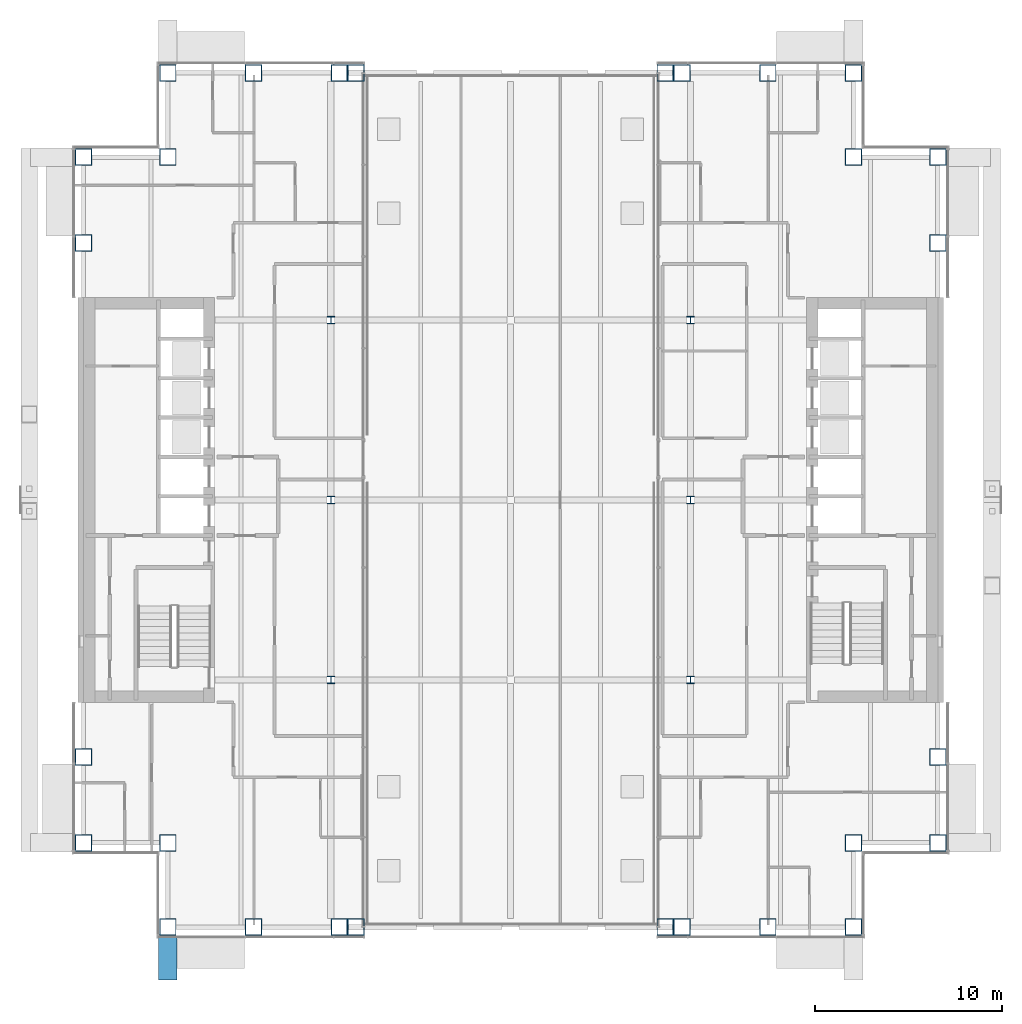
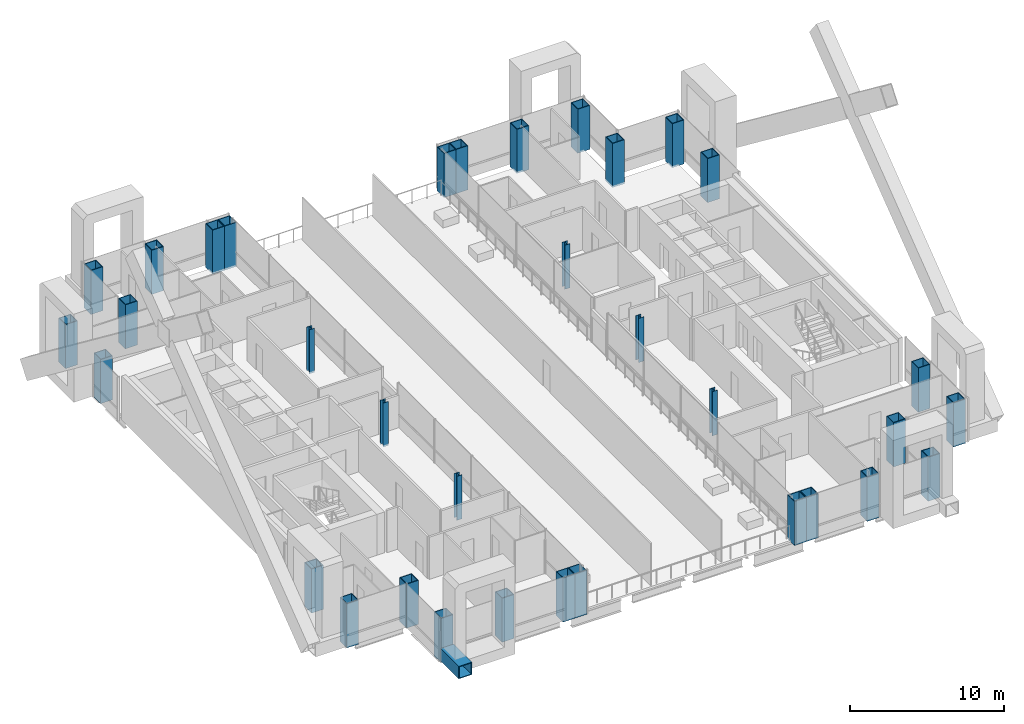
# One storey, part 1 of 20: 34 columns, 1 beam.
"""IFC4 building model written with IfcOpenShell, lengths in metres."""

import ifcopenshell
import ifcopenshell.guid

model = None  # the IFC model being written
_history = None  # IfcOwnerHistory: only IFC2X3 demands one
_inside = {}  # id of a spatial element -> (the spatial element, [elements in it])
_under = {}  # id of a project, library or spatial element -> (it, [spatial elements below it])
_declared = {}  # id of a project -> (the project, [libraries it declares])
_typed = {}  # id of a type object -> (the type object, [elements of that type])
_made_of = {}  # id of a material, layer set ... -> (it, [elements and type objects made of it])


def new_model(schema):
    """Start an empty IFC model of exactly this schema.

    Asked for "IFC4X3", IfcOpenShell would pick the latest addendum, in which some entities
    have other attributes; the version numbers below select the first issue.
    IFC2X3 requires an IfcOwnerHistory on every rooted entity: one is made here for all.
    """
    global model, _history
    if schema == "IFC4X3":
        model = ifcopenshell.file(schema_version=(4, 3, 0, 0))
    else:
        model = ifcopenshell.file(schema=schema)
    _inside.clear()
    _under.clear()
    _declared.clear()
    _typed.clear()
    _made_of.clear()
    _history = None
    if model.schema == "IFC2X3":
        org = make("IfcOrganization", Name="unknown")
        user = make(
            "IfcPersonAndOrganization",
            ThePerson=make("IfcPerson", FamilyName="unknown"),
            TheOrganization=org,
        )
        app = make(
            "IfcApplication",
            ApplicationDeveloper=org,
            Version="unknown",
            ApplicationFullName="unknown",
            ApplicationIdentifier="unknown",
        )
        _history = make(
            "IfcOwnerHistory",
            OwningUser=user,
            OwningApplication=app,
            ChangeAction="ADDED",
            CreationDate=0,
        )
    return model


def make(cls, **values):
    """One entity of the class cls with the attributes given. An attribute that is None is left unset."""
    return model.create_entity(
        cls, **{name: value for name, value in values.items() if value is not None}
    )


def rooted(cls, **values):
    """An entity with a GlobalId (a new one), such as an element, a storey or a relation."""
    return make(cls, GlobalId=ifcopenshell.guid.new(), OwnerHistory=_history, **values)


def si_unit(unit_type, name, prefix=None):
    """IfcSIUnit, for example si_unit("LENGTHUNIT", "METRE", prefix="MILLI")."""
    return make("IfcSIUnit", UnitType=unit_type, Prefix=prefix, Name=name)


def assignment(units):
    """IfcUnitAssignment: the units of a project."""
    return None if units is None else make("IfcUnitAssignment", Units=units)


def point(xyz):
    """IfcCartesianPoint."""
    return None if xyz is None else make("IfcCartesianPoint", Coordinates=xyz)


def direction(xyz):
    """IfcDirection."""
    return None if xyz is None else make("IfcDirection", DirectionRatios=xyz)


def frame(location, z_axis=None, x_axis=None):
    """IfcAxis2Placement3D, a coordinate frame: its origin and axes. An axis left out is left unset."""
    return make(
        "IfcAxis2Placement3D",
        Location=point(location),
        Axis=direction(z_axis),
        RefDirection=direction(x_axis),
    )


def frame_2d(location, x_axis=None):
    """IfcAxis2Placement2D, a coordinate frame in the plane: its origin and x axis."""
    return make(
        "IfcAxis2Placement2D", Location=point(location), RefDirection=direction(x_axis)
    )


def origin():
    """The frame at (0, 0, 0) with its axes left unset."""
    return frame((0.0, 0.0, 0.0))


def origin_2d():
    """The frame at (0, 0) in the plane with its x axis left unset."""
    return frame_2d((0.0, 0.0))


def place(relative_to, where):
    """IfcLocalPlacement: puts the frame where relative to a parent placement (None: the world)."""
    return make(
        "IfcLocalPlacement", PlacementRelTo=relative_to, RelativePlacement=where
    )


def context(
    kind, dimensions, precision=None, world=None, true_north=None, identifier=None
):
    """IfcGeometricRepresentationContext, for example the 3D "Model" context."""
    return make(
        "IfcGeometricRepresentationContext",
        ContextIdentifier=identifier,
        ContextType=kind,
        CoordinateSpaceDimension=dimensions,
        Precision=precision,
        WorldCoordinateSystem=world,
        TrueNorth=true_north,
    )


def subcontext(parent, identifier, kind, view, scale=None):
    """IfcGeometricRepresentationSubContext, for example "Body" below "Model"."""
    return make(
        "IfcGeometricRepresentationSubContext",
        ContextIdentifier=identifier,
        ContextType=kind,
        ParentContext=parent,
        TargetScale=scale,
        TargetView=view,
    )


def project(units=None, contexts=None):
    """IfcProject with its units and contexts."""
    return rooted(
        "IfcProject",
        Name="project",
        RepresentationContexts=contexts,
        UnitsInContext=assignment(units),
    )


def spatial(cls, under=None, at=None, **own):
    """A site, building, storey or space (cls), placed at a placement, below another one or the project."""
    s = rooted(cls, ObjectPlacement=at, **own)
    if under is not None:
        _under.setdefault(under.id(), (under, []))[1].append(s)
    return s


def profile(cls, at=None, kind="AREA", **sizes):
    """A parametric profile (cls). Its sizes go by their IFC names, for example OverallWidth=200.0."""
    return make(cls, ProfileType=kind, Position=at, **sizes)


def hollow_rectangle(**sizes):
    """IfcRectangleHollowProfileDef."""
    return profile("IfcRectangleHollowProfileDef", **sizes)


def i_section(**sizes):
    """IfcIShapeProfileDef."""
    return profile("IfcIShapeProfileDef", **sizes)


def extrude(swept, where, along, depth):
    """IfcExtrudedAreaSolid: the profile swept, set in the frame where, extruded along a direction by depth."""
    return make(
        "IfcExtrudedAreaSolid",
        SweptArea=swept,
        Position=where,
        ExtrudedDirection=direction(along),
        Depth=depth,
    )


def shape(context_of_items, identifier, shape_type, items):
    """IfcShapeRepresentation: the items that make up one representation, for example the "Body"."""
    return make(
        "IfcShapeRepresentation",
        ContextOfItems=context_of_items,
        RepresentationIdentifier=identifier,
        RepresentationType=shape_type,
        Items=items,
    )


def material(Name=None, Category=None):
    """IfcMaterial."""
    return make("IfcMaterial", Name=Name, Category=Category)


def material_profile(
    of_material, cross_section, Name=None, Category=None, Priority=None
):
    """IfcMaterialProfile: a cross section and its material."""
    return make(
        "IfcMaterialProfile",
        Name=Name,
        Material=of_material,
        Profile=cross_section,
        Priority=Priority,
        Category=Category,
    )


def profile_set(profiles, Name=None, composite=None):
    """IfcMaterialProfileSet."""
    return make(
        "IfcMaterialProfileSet",
        Name=Name,
        MaterialProfiles=profiles,
        CompositeProfile=composite,
    )


def made_of(thing, what):
    """Note that an element or type object is made of a material, layer set ...; save() writes the relation."""
    if what is not None:
        _made_of.setdefault(what.id(), (what, []))[1].append(thing)
    return thing


def type_object(cls, material=None, **own):
    """A type object (cls), such as IfcWallType, which elements share."""
    return made_of(rooted(cls, **own), material)


def element(
    cls,
    number,
    at=None,
    inside=None,
    cuts=None,
    type_object=None,
    material=None,
    context=None,
    identifier="Body",
    shape_type=None,
    held_by="IfcProductDefinitionShape",
    body=None,
    shapes=None,
    **own,
):
    """One element of the class cls, such as IfcWall. Its Tag is "e" and its number.

    at: its placement. inside: the storey or other place that contains it. cuts: it is an
    opening in that element (IfcRelVoidsElement). A single representation is given by context,
    identifier, shape_type and body (its items); several are given by shapes. held_by: the class
    of the entity that holds the representations. save() writes the other relations.
    """
    e = rooted(cls, Tag="e%d" % number, ObjectPlacement=at, **own)
    if body is not None:
        shapes = [shape(context, identifier, shape_type, body)]
    if shapes is not None:
        e.Representation = make(held_by, Representations=shapes)
    if inside is not None:
        _inside.setdefault(inside.id(), (inside, []))[1].append(e)
    if cuts is not None:
        rooted(
            "IfcRelVoidsElement", RelatingBuildingElement=cuts, RelatedOpeningElement=e
        )
    if type_object is not None:
        _typed.setdefault(type_object.id(), (type_object, []))[1].append(e)
    return made_of(e, material)


def aggregate(whole, parts):
    """IfcRelAggregates: a whole, such as a stair, and the parts it consists of."""
    return rooted("IfcRelAggregates", RelatingObject=whole, RelatedObjects=parts)


def save(model, path):
    """Write the relations noted so far, then the file.

    IfcRelAggregates (storeys below a building ...), IfcRelContainedInSpatialStructure (elements
    in a storey), IfcRelDefinesByType, IfcRelAssociatesMaterial and IfcRelDeclares: one each for
    every whole, place, type object, material and project.
    """
    for whole, parts in _under.values():
        aggregate(whole, parts)
    for where, things in _inside.values():
        rooted(
            "IfcRelContainedInSpatialStructure",
            RelatedElements=things,
            RelatingStructure=where,
        )
    for kind, things in _typed.values():
        rooted("IfcRelDefinesByType", RelatedObjects=things, RelatingType=kind)
    for what, things in _made_of.values():
        rooted("IfcRelAssociatesMaterial", RelatedObjects=things, RelatingMaterial=what)
    for by, libraries in _declared.values():
        rooted("IfcRelDeclares", RelatingContext=by, RelatedDefinitions=libraries)
    model.write(path)


model = new_model("IFC4")

# Units and contexts
model_context = context("Model", 3, precision=1e-05, world=origin(), true_north=direction((0.0, 1.0)))
body_context = subcontext(model_context, "Body", "Model", "MODEL_VIEW")
ifc_project = project(units=[si_unit("LENGTHUNIT", "METRE"), si_unit("AREAUNIT", "SQUARE_METRE"), si_unit("VOLUMEUNIT", "CUBIC_METRE"), si_unit("PLANEANGLEUNIT", "RADIAN"), si_unit("MASSUNIT", "GRAM", prefix="KILO")], contexts=[model_context])

# Site, building, storey
site_placement = place(None, origin())
site = spatial("IfcSite", under=ifc_project, at=site_placement, CompositionType="ELEMENT")
building_placement = place(site_placement, origin())
building = spatial("IfcBuilding", under=site, at=building_placement, Name="Cobrizo Arcos Hotel Tower", CompositionType="ELEMENT")
storey_placement = place(building_placement, frame((0.0, 0.0, 117.0)))
storey = spatial("IfcBuildingStorey", under=building, at=storey_placement, Name="L29", CompositionType="ELEMENT", Elevation=117.0)

# Columns
ifc_material_1 = material(Name="Steel ASTM A572 Grade 50", Category="steel")
ifc_material_profile_1 = material_profile(ifc_material_1, hollow_rectangle(XDim=0.89990234375, YDim=0.89990234375, WallThickness=0.050048828125, at=origin_2d()), Name="BOX 900X900X50")
ifc_profile_set_1 = profile_set([ifc_material_profile_1], Name="Steel ASTM A572 Grade 50")
column_type_1 = type_object("IfcColumnType", Name="BOX 900X900X50 column", PredefinedType="COLUMN", material=ifc_profile_set_1)
for number, where, z_axis, x_axis, name in (
    (1, (-18.300048828125, 22.800048828125, -0.14990234375), (0.0, 0.0, 1.0), (1.0, 0.0, 0.0), "Perimeter column C6, L29, no. 00"),
    (2, (-18.300048828125, -22.800048828125, -0.14990234375), (0.0, 0.0, 1.0), (1.0, 0.0, 0.0), "Perimeter column C6, L29, no. 01"),
    (3, (-13.72509765625, 22.800048828125, -0.14990234375), (0.0, 0.0, 1.0), (1.0, 0.0, 0.0), "Perimeter column C6, L29, no. 02"),
    (4, (-13.72509765625, -22.800048828125, -0.14990234375), (0.0, 0.0, 1.0), (1.0, 0.0, 0.0), "Perimeter column C6, L29, no. 03"),
    (5, (-9.14990234375, 22.800048828125, -0.14990234375), (0.0, 0.0, 1.0), (1.0, 0.0, 0.0), "Perimeter column C6, L29, no. 04"),
    (6, (-9.14990234375, -22.800048828125, -0.14990234375), (0.0, 0.0, 1.0), (1.0, 0.0, 0.0), "Perimeter column C6, L29, no. 05"),
    (7, (9.14990234375, 22.800048828125, -0.14990234375), (0.0, 0.0, 1.0), (1.0, 0.0, 0.0), "Perimeter column C6, L29, no. 06"),
    (8, (9.14990234375, -22.800048828125, -0.14990234375), (0.0, 0.0, 1.0), (1.0, 0.0, 0.0), "Perimeter column C6, L29, no. 07"),
    (9, (13.72509765625, 22.800048828125, -0.14990234375), (0.0, 0.0, 1.0), (1.0, 0.0, 0.0), "Perimeter column C6, L29, no. 08"),
    (10, (13.72509765625, -22.800048828125, -0.14990234375), (0.0, 0.0, 1.0), (1.0, 0.0, 0.0), "Perimeter column C6, L29, no. 09"),
    (11, (18.300048828125, 22.800048828125, -0.14990234375), (0.0, 0.0, 1.0), (1.0, 0.0, 0.0), "Perimeter column C6, L29, no. 10"),
    (12, (18.300048828125, -22.800048828125, -0.14990234375), (0.0, 0.0, 1.0), (1.0, 0.0, 0.0), "Perimeter column C6, L29, no. 11"),
    (13, (22.800048828125, -18.300048828125, -0.14990234375), (0.0, 0.0, 1.0), (1.0, 0.0, 0.0), "Perimeter column C6, L29, no. 12"),
    (14, (-22.800048828125, -18.300048828125, -0.14990234375), (0.0, 0.0, 1.0), (1.0, 0.0, 0.0), "Perimeter column C6, L29, no. 13"),
    (15, (22.800048828125, -13.72509765625, -0.14990234375), (0.0, 0.0, 1.0), (1.0, 0.0, 0.0), "Perimeter column C6, L29, no. 14"),
    (16, (-22.800048828125, -13.72509765625, -0.14990234375), (0.0, 0.0, 1.0), (1.0, 0.0, 0.0), "Perimeter column C6, L29, no. 15"),
    (17, (22.800048828125, 13.72509765625, -0.14990234375), (0.0, 0.0, 1.0), (1.0, 0.0, 0.0), "Perimeter column C6, L29, no. 16"),
    (18, (-22.800048828125, 13.72509765625, -0.14990234375), (0.0, 0.0, 1.0), (1.0, 0.0, 0.0), "Perimeter column C6, L29, no. 17"),
    (19, (22.800048828125, 18.300048828125, -0.14990234375), (0.0, 0.0, 1.0), (1.0, 0.0, 0.0), "Perimeter column C6, L29, no. 18"),
    (20, (-22.800048828125, 18.300048828125, -0.14990234375), (0.0, 0.0, 1.0), (1.0, 0.0, 0.0), "Perimeter column C6, L29, no. 19"),
    (21, (-18.300048828125, -18.300048828125, -0.14990234375), (0.0, 0.0, 1.0), (1.0, 0.0, 0.0), "Perimeter column C6, L29, no. 20"),
    (22, (-18.300048828125, 18.300048828125, -0.14990234375), (0.0, 0.0, 1.0), (1.0, 0.0, 0.0), "Perimeter column C6, L29, no. 21"),
    (23, (18.300048828125, -18.300048828125, -0.14990234375), (0.0, 0.0, 1.0), (1.0, 0.0, 0.0), "Perimeter column C6, L29, no. 22"),
    (24, (18.300048828125, 18.300048828125, -0.14990234375), (0.0, 0.0, 1.0), (1.0, 0.0, 0.0), "Perimeter column C6, L29, no. 23"),
    (25, (-8.25, 22.800048828125, -0.14990234375), (0.0, 0.0, 1.0), (1.0, 0.0, 0.0), "Perimeter column C6, L29, no. 24"),
    (26, (-8.25, -22.800048828125, -0.14990234375), (0.0, 0.0, 1.0), (1.0, 0.0, 0.0), "Perimeter column C6, L29, no. 25"),
    (27, (8.25, 22.800048828125, -0.14990234375), (0.0, 0.0, 1.0), (1.0, 0.0, 0.0), "Perimeter column C6, L29, no. 26"),
    (28, (8.25, -22.800048828125, -0.14990234375), (0.0, 0.0, 1.0), (1.0, 0.0, 0.0), "Perimeter column C6, L29, no. 27"),
):
    element("IfcColumn", number, at=place(storey_placement, frame(where, z_axis=z_axis, x_axis=x_axis)), inside=storey, type_object=column_type_1, Name=name, PredefinedType="COLUMN", context=body_context, shape_type="SweptSolid", body=[
        extrude(hollow_rectangle(XDim=0.89990234375, YDim=0.89990234375, WallThickness=0.050048828125, at=origin_2d()), origin(), (0.0, 0.0, 1.0), 3.5),
    ])
ifc_material_2 = material(Name="Steel ASTM A992 Grade 50", Category="steel")
ifc_material_profile_2 = material_profile(ifc_material_2, i_section(OverallWidth=0.398681640625, OverallDepth=0.393798828125, WebThickness=0.022705078125, FlangeThickness=0.03662109375, at=origin_2d()), Name="W14X193")
ifc_profile_set_2 = profile_set([ifc_material_profile_2], Name="Steel ASTM A992 Grade 50")
column_type_2 = type_object("IfcColumnType", Name="W14X193 interior column", PredefinedType="COLUMN", material=ifc_profile_set_2)
for number, where, z_axis, x_axis, name in (
    (29, (-9.60009765625, -9.60009765625, -0.14990234375), (0.0, 0.0, 1.0), (1.0, 0.0, 0.0), "Interior column C7, L29, no. 00"),
    (30, (-9.60009765625, 0.0, -0.14990234375), (0.0, 0.0, 1.0), (1.0, 0.0, 0.0), "Interior column C7, L29, no. 01"),
    (31, (-9.60009765625, 9.60009765625, -0.14990234375), (0.0, 0.0, 1.0), (1.0, 0.0, 0.0), "Interior column C7, L29, no. 02"),
    (32, (9.60009765625, -9.60009765625, -0.14990234375), (0.0, 0.0, 1.0), (1.0, 0.0, 0.0), "Interior column C7, L29, no. 03"),
    (33, (9.60009765625, 0.0, -0.14990234375), (0.0, 0.0, 1.0), (1.0, 0.0, 0.0), "Interior column C7, L29, no. 04"),
    (34, (9.60009765625, 9.60009765625, -0.14990234375), (0.0, 0.0, 1.0), (1.0, 0.0, 0.0), "Interior column C7, L29, no. 05"),
):
    element("IfcColumn", number, at=place(storey_placement, frame(where, z_axis=z_axis, x_axis=x_axis)), inside=storey, type_object=column_type_2, Name=name, PredefinedType="COLUMN", context=body_context, shape_type="SweptSolid", body=[
        extrude(i_section(OverallWidth=0.398681640625, OverallDepth=0.393798828125, WebThickness=0.022705078125, FlangeThickness=0.03662109375, at=origin_2d()), origin(), (0.0, 0.0, 1.0), 3.5),
    ])

# Beam
ifc_material_profile_3 = material_profile(ifc_material_1, hollow_rectangle(XDim=1.0, YDim=1.0, WallThickness=0.06005859375, at=origin_2d()), Name="BOX 1000X1000X60")
ifc_profile_set_3 = profile_set([ifc_material_profile_3], Name="Steel ASTM A572 Grade 50")
beam_type = type_object("IfcBeamType", Name="BOX 1000X1000X60 brace connector strut", PredefinedType="BEAM", material=ifc_profile_set_3)
beam_placement = place(storey_placement, frame((-18.300048828125, -23.239990234375, 0.5), z_axis=(0.0, -1.0, 0.0), x_axis=(1.0, 0.0, 0.0)))
element("IfcBeam", 35, at=beam_placement, inside=storey, type_object=beam_type, Name="Perimeter brace stub BS1, zone Z2, south face, offset -18.30 m, L29", PredefinedType="BEAM", context=body_context, shape_type="SweptSolid", body=[
    extrude(hollow_rectangle(XDim=1.0, YDim=1.0, WallThickness=0.06005859375, at=origin_2d()), origin(), (0.0, 0.0, 1.0), 2.380126953125),
])

save(model, "model.ifc")
